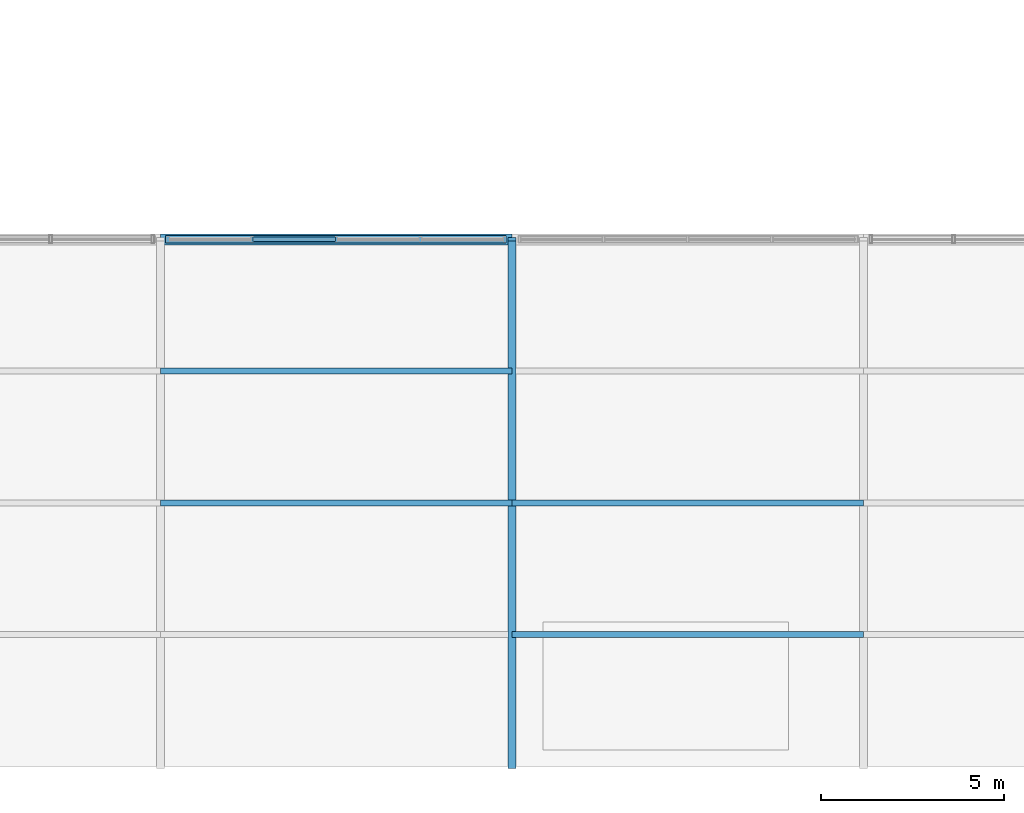
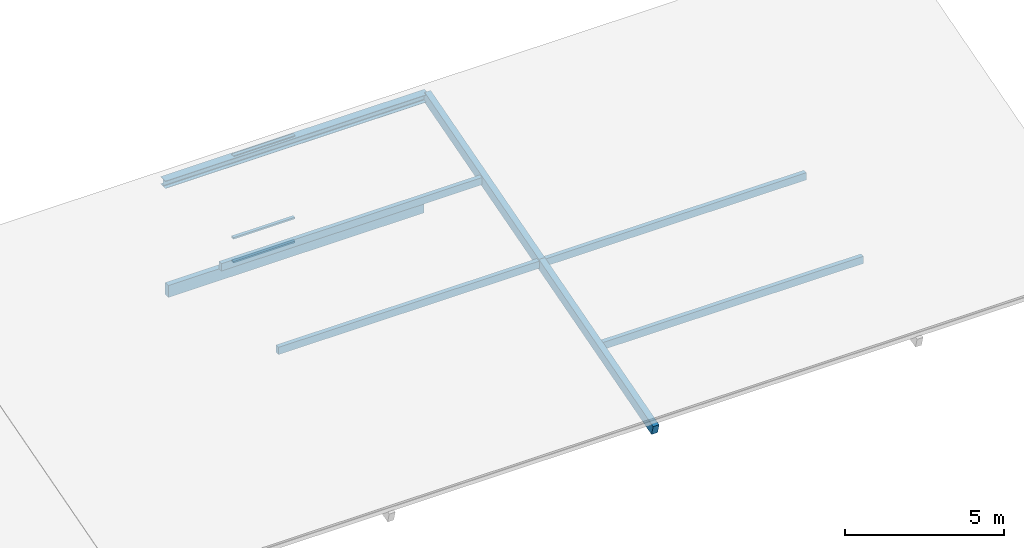
# One storey, part 18 of 32: 9 members, 2 beams, 1 element without a shape of its own.
"""IFC4 building model written with IfcOpenShell, lengths in metres."""

from ifc_helpers import new_model, si_unit, direction, frame, origin, origin_2d, place, context, subcontext, project, spatial, rectangle, hollow_rectangle, i_section, extrude, material, material_profile, profile_set, type_object, element, aggregate, save


model = new_model("IFC4")

# Units and contexts
model_context = context("Model", 3, precision=1e-05, world=origin(), true_north=direction((0.0, 1.0)))
body_context = subcontext(model_context, "Body", "Model", "MODEL_VIEW")
ifc_project = project(units=[si_unit("LENGTHUNIT", "METRE"), si_unit("AREAUNIT", "SQUARE_METRE"), si_unit("VOLUMEUNIT", "CUBIC_METRE"), si_unit("PLANEANGLEUNIT", "RADIAN"), si_unit("MASSUNIT", "GRAM", prefix="KILO")], contexts=[model_context])

# Site, building, storey
site_placement = place(None, origin())
site = spatial("IfcSite", under=ifc_project, at=site_placement, CompositionType="ELEMENT")
building_placement = place(site_placement, origin())
building = spatial("IfcBuilding", under=site, at=building_placement, Name="Hawrajan Terrace Health Centre", CompositionType="ELEMENT")
storey_placement = place(building_placement, frame((0.0, 0.0, 17.39990234375)))
storey = spatial("IfcBuildingStorey", under=building, at=storey_placement, Name="L04", CompositionType="ELEMENT", Elevation=17.39990234375)

# Curtain wall, members
ifc_material_1 = material(Name="Anodized bronze aluminium and low-E solar glazing", Category="aluminium")
curtain_wall_type = type_object("IfcCurtainWallType", Name="CW_Clerestory_SeriesG2", PredefinedType="USERDEFINED", material=ifc_material_1)
curtain_wall_placement = place(storey_placement, origin())
curtain_wall = element("IfcCurtainWall", 1, at=curtain_wall_placement, inside=storey, type_object=curtain_wall_type, Name="Curtain wall CW-L04-CLER-183", ObjectType="UNITISED CURTAIN WALL", PredefinedType="USERDEFINED")
ifc_material_2 = material(Name="Anodized bronze aluminium 6063-T6", Category="aluminium")
ifc_material_profile_1 = material_profile(ifc_material_2, hollow_rectangle(XDim=0.06494140625, YDim=0.1201171875, WallThickness=0.00341796875, at=origin_2d()), Name="CW TRN 65x120")
ifc_profile_set_1 = profile_set([ifc_material_profile_1], Name="Anodized bronze aluminium 6063-T6")
member_type_1 = type_object("IfcMemberType", Name="CWTransom_65x120", PredefinedType="USERDEFINED", material=ifc_profile_set_1)
member_1_placement = place(storey_placement, frame((83.927734375, 18.60009765625, -0.16748046875), z_axis=(1.0, 0.0, 0.0), x_axis=(0.0, 0.0, 1.0)))
member_1 = element("IfcMember", 2, at=member_1_placement, type_object=member_type_1, Name="Transom CW-L04-CLER-183-T2-1", ObjectType="TRANSOM", PredefinedType="USERDEFINED", context=body_context, shape_type="SweptSolid", body=[
    extrude(hollow_rectangle(XDim=0.06494140625, YDim=0.1201171875, WallThickness=0.00341796875, at=origin_2d()), origin(), (0.0, 0.0, 1.0), 2.245849609375),
])
member_2_placement = place(storey_placement, frame((83.927734375, 18.60009765625, 0.75), z_axis=(1.0, 0.0, 0.0), x_axis=(0.0, 0.0, 1.0)))
member_2 = element("IfcMember", 3, at=member_2_placement, type_object=member_type_1, Name="Transom CW-L04-CLER-183-T2-2", ObjectType="TRANSOM", PredefinedType="USERDEFINED", context=body_context, shape_type="SweptSolid", body=[
    extrude(hollow_rectangle(XDim=0.06494140625, YDim=0.1201171875, WallThickness=0.00341796875, at=origin_2d()), origin(), (0.0, 0.0, 1.0), 2.245849609375),
])
member_3_placement = place(storey_placement, frame((83.927734375, 18.60009765625, 3.896728515625), z_axis=(1.0, 0.0, 0.0), x_axis=(0.0, 0.0, 1.0)))
member_3 = element("IfcMember", 4, at=member_3_placement, type_object=member_type_1, Name="Transom CW-L04-CLER-183-T2-3", ObjectType="TRANSOM", PredefinedType="USERDEFINED", context=body_context, shape_type="SweptSolid", body=[
    extrude(hollow_rectangle(XDim=0.06494140625, YDim=0.1201171875, WallThickness=0.00341796875, at=origin_2d()), origin(), (0.0, 0.0, 1.0), 2.245849609375),
])
aggregate(curtain_wall, [member_1, member_2, member_3])

# Beam
ifc_material_3 = material(Name="Glulam GL32h", Category="wood")
ifc_material_profile_2 = material_profile(ifc_material_3, rectangle(XDim=0.199951171875, YDim=0.4599609375, at=origin_2d()), Name="GL SP 200x460")
ifc_profile_set_2 = profile_set([ifc_material_profile_2], Name="Glulam GL32h")
beam_type_1 = type_object("IfcBeamType", Name="GlulamSpandrel_200x460", PredefinedType="SPANDREL", material=ifc_profile_set_2)
beam_1_placement = place(storey_placement, frame((81.5400390625, 18.60009765625, -0.429931640625), z_axis=(1.0, 0.0, 0.0), x_axis=(0.0, 1.0, 0.0)))
element("IfcBeam", 5, at=beam_1_placement, inside=storey, type_object=beam_type_1, Name="Beam BM-X-L04-C-11-Y3", PredefinedType="SPANDREL", context=body_context, shape_type="SweptSolid", body=[
    extrude(rectangle(XDim=0.199951171875, YDim=0.4599609375, at=origin_2d()), origin(), (0.0, 0.0, 1.0), 9.300048828125),
])

# Members
ifc_material_4 = material(Name="Glulam GL28h", Category="wood")
ifc_material_profile_3 = material_profile(ifc_material_4, rectangle(XDim=0.159912109375, YDim=0.280029296875, at=origin_2d()), Name="GL PUR 160x280")
ifc_profile_set_3 = profile_set([ifc_material_profile_3], Name="Glulam GL28h")
member_type_2 = type_object("IfcMemberType", Name="RoofPurlin_160x280", PredefinedType="PURLIN", material=ifc_profile_set_3)
for number, where, z_axis, x_axis, name in (
    (6, (81.39990234375, 11.39990234375, 1.684814453125), (1.0, 0.0, 0.0), (0.0, 1.0, 0.0), "North-light purlin C-2-2"),
    (7, (81.39990234375, 15.0, 2.717041015625), (1.0, 0.0, 0.0), (0.0, 1.0, 0.0), "North-light purlin C-2-3"),
    (8, (91.0, 7.800048828125, 0.65234375), (1.0, 0.0, 0.0), (0.0, 1.0, 0.0), "North-light purlin C-3-1"),
    (9, (91.0, 11.39990234375, 1.684814453125), (1.0, 0.0, 0.0), (0.0, 1.0, 0.0), "North-light purlin C-3-2"),
):
    element("IfcMember", number, at=place(storey_placement, frame(where, z_axis=z_axis, x_axis=x_axis)), inside=storey, type_object=member_type_2, Name=name, PredefinedType="PURLIN", context=body_context, shape_type="SweptSolid", body=[
        extrude(rectangle(XDim=0.159912109375, YDim=0.280029296875, at=origin_2d()), origin(), (0.0, 0.0, 1.0), 9.60009765625),
    ])
ifc_material_profile_4 = material_profile(ifc_material_3, rectangle(XDim=0.219970703125, YDim=0.3798828125, at=origin_2d()), Name="GL CHD 220x380")
ifc_profile_set_4 = profile_set([ifc_material_profile_4], Name="Glulam GL32h")
member_type_3 = type_object("IfcMemberType", Name="RoofRafter_220x380", PredefinedType="RAFTER", material=ifc_profile_set_4)
for number, where, z_axis, x_axis, name in (
    (10, (91.0, 4.199951171875, -0.3798828125), (0.0, 0.961256584542, 0.275655180749), (-1.0, 0.0, 0.0), "North-light rafter S C-G12"),
    (11, (91.0, 11.39990234375, 1.684814453125), (0.0, 0.961267697111, 0.275616426379), (-1.0, 0.0, 0.0), "North-light rafter N C-G12"),
):
    element("IfcMember", number, at=place(storey_placement, frame(where, z_axis=z_axis, x_axis=x_axis)), inside=storey, type_object=member_type_3, Name=name, PredefinedType="RAFTER", context=body_context, shape_type="SweptSolid", body=[
        extrude(rectangle(XDim=0.219970703125, YDim=0.3798828125, at=origin_2d()), origin(), (0.0, 0.0, 1.0), 7.490234375),
    ])

# Beam
ifc_material_5 = material(Name="Steel S355", Category="steel")
ifc_material_profile_5 = material_profile(ifc_material_5, i_section(OverallWidth=0.300048828125, OverallDepth=0.2900390625, WebThickness=0.008544921875, FlangeThickness=0.013916015625, FilletRadius=0.027099609375, at=origin_2d()), Name="HEA 300")
ifc_profile_set_5 = profile_set([ifc_material_profile_5], Name="Steel S355")
beam_type_2 = type_object("IfcBeamType", Name="SteelBeam_HEA300", PredefinedType="BEAM", material=ifc_profile_set_5)
beam_2_placement = place(storey_placement, frame((81.39990234375, 18.60009765625, 3.749267578125), z_axis=(1.0, 0.0, 0.0), x_axis=(0.0, 1.0, 0.0)))
element("IfcBeam", 12, at=beam_2_placement, inside=storey, type_object=beam_type_2, Name="Clerestory head beam C-2", PredefinedType="BEAM", context=body_context, shape_type="SweptSolid", body=[
    extrude(i_section(OverallWidth=0.300048828125, OverallDepth=0.2900390625, WebThickness=0.008544921875, FlangeThickness=0.013916015625, FilletRadius=0.027099609375, at=origin_2d()), origin(), (0.0, 0.0, 1.0), 9.60009765625),
])

save(model, "model.ifc")
